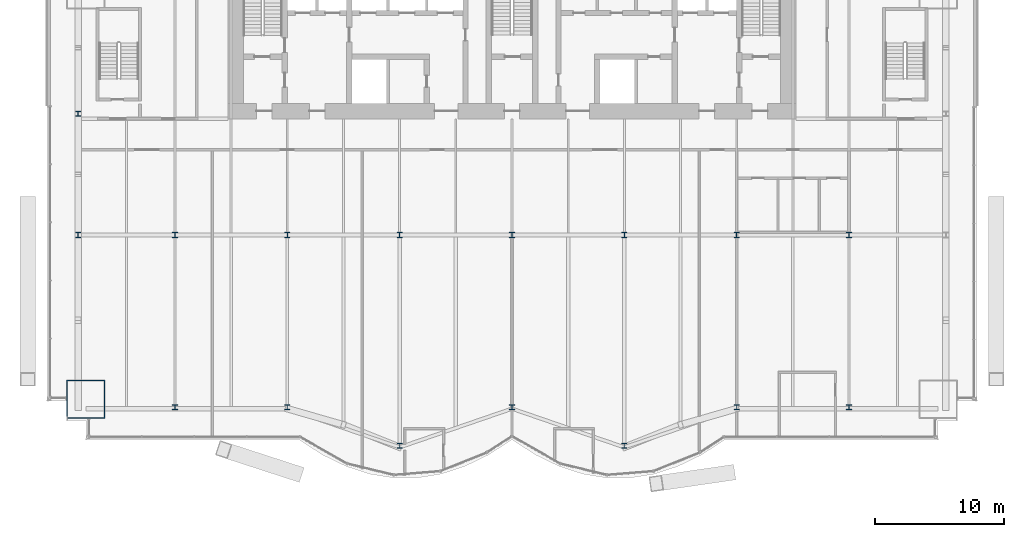
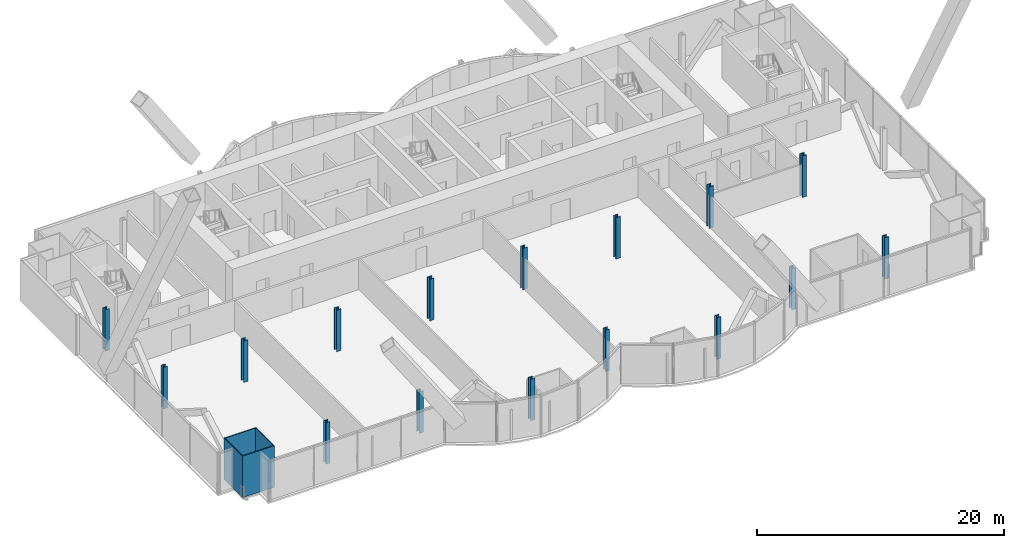
# One storey, part 1 of 23: 17 columns.
"""IFC4 building model written with IfcOpenShell, lengths in metres."""

from ifc_helpers import new_model, si_unit, direction, frame, origin, origin_2d, place, context, subcontext, project, spatial, hollow_rectangle, i_section, extrude, material, material_profile, profile_set, type_object, element, save


model = new_model("IFC4")

# Units and contexts
model_context = context("Model", 3, precision=1e-05, world=origin(), true_north=direction((0.0, 1.0)))
body_context = subcontext(model_context, "Body", "Model", "MODEL_VIEW")
ifc_project = project(units=[si_unit("LENGTHUNIT", "METRE"), si_unit("AREAUNIT", "SQUARE_METRE"), si_unit("VOLUMEUNIT", "CUBIC_METRE"), si_unit("PLANEANGLEUNIT", "RADIAN"), si_unit("MASSUNIT", "GRAM", prefix="KILO")], contexts=[model_context])

# Site, building, storey
site_placement = place(None, origin())
site = spatial("IfcSite", under=ifc_project, at=site_placement, CompositionType="ELEMENT")
building_placement = place(site_placement, origin())
building = spatial("IfcBuilding", under=site, at=building_placement, Name="Bicima Exchange Tower", CompositionType="ELEMENT")
storey_placement = place(building_placement, frame((0.0, 0.0, 110.39990234375)))
storey = spatial("IfcBuildingStorey", under=building, at=storey_placement, Name="L23", CompositionType="ELEMENT", Elevation=110.39990234375)

# Columns
ifc_material_1 = material(Name="Steel ASTM A992 Gr 50", Category="steel")
ifc_material_profile_1 = material_profile(ifc_material_1, i_section(OverallWidth=0.406494140625, OverallDepth=0.41650390625, WebThickness=0.030029296875, FlangeThickness=0.048095703125, at=origin_2d()))
ifc_profile_set_1 = profile_set([ifc_material_profile_1], Name="Steel ASTM A992 Gr 50")
column_type_1 = type_object("IfcColumnType", Name="Interior column W14x257", PredefinedType="COLUMN", material=ifc_profile_set_1)
for number, where, z_axis, x_axis, name in (
    (1, (-26.10009765625, -22.0, 0.0), (0.0, 0.0, 1.0), (1.0, 0.0, 0.0), "Interior column interior-26.1i"),
    (2, (-17.39990234375, -22.0, 0.0), (0.0, 0.0, 1.0), (1.0, 0.0, 0.0), "Interior column interior-17.4i"),
    (3, (-8.699951171875, -22.0, 0.0), (0.0, 0.0, 1.0), (1.0, 0.0, 0.0), "Interior column interior-8.7i"),
    (4, (0.0, -22.0, 0.0), (0.0, 0.0, 1.0), (1.0, 0.0, 0.0), "Interior column interior+0.0i"),
    (5, (8.699951171875, -22.0, 0.0), (0.0, 0.0, 1.0), (1.0, 0.0, 0.0), "Interior column interior+8.7i"),
    (6, (17.39990234375, -22.0, 0.0), (0.0, 0.0, 1.0), (1.0, 0.0, 0.0), "Interior column interior+17.4i"),
    (7, (26.10009765625, -22.0, 0.0), (0.0, 0.0, 1.0), (1.0, 0.0, 0.0), "Interior column interior+26.1i"),
):
    element("IfcColumn", number, at=place(storey_placement, frame(where, z_axis=z_axis, x_axis=x_axis)), inside=storey, type_object=column_type_1, Name=name, PredefinedType="COLUMN", context=body_context, shape_type="SweptSolid", body=[
        extrude(i_section(OverallWidth=0.406494140625, OverallDepth=0.41650390625, WebThickness=0.030029296875, FlangeThickness=0.048095703125, at=origin_2d()), origin(), (0.0, 0.0, 1.0), 4.10009765625),
    ])
ifc_material_2 = material(Name="Steel ASTM A572 Gr 50", Category="steel")
ifc_material_profile_2 = material_profile(ifc_material_2, hollow_rectangle(XDim=3.0, YDim=3.0, WallThickness=0.090087890625, at=origin_2d()))
ifc_profile_set_2 = profile_set([ifc_material_profile_2], Name="Steel ASTM A572 Gr 50")
column_type_2 = type_object("IfcColumnType", Name="Mega column BOX 3000x3000x90", PredefinedType="COLUMN", material=ifc_profile_set_2)
column_placement = place(storey_placement, frame((-33.0, -34.72998046875, 0.0), z_axis=(0.0, 0.0, 1.0), x_axis=(1.0, 0.0, 0.0)))
element("IfcColumn", 8, at=column_placement, inside=storey, type_object=column_type_2, Name="Mega column mega-33.0f", PredefinedType="COLUMN", context=body_context, shape_type="SweptSolid", body=[
    extrude(hollow_rectangle(XDim=3.0, YDim=3.0, WallThickness=0.090087890625, at=origin_2d()), origin(), (0.0, 0.0, 1.0), 4.10009765625),
])
ifc_material_profile_3 = material_profile(ifc_material_1, i_section(OverallWidth=0.398681640625, OverallDepth=0.393798828125, WebThickness=0.022705078125, FlangeThickness=0.03662109375, at=origin_2d()))
ifc_profile_set_3 = profile_set([ifc_material_profile_3], Name="Steel ASTM A992 Gr 50")
column_type_3 = type_object("IfcColumnType", Name="Perimeter column W14x193", PredefinedType="COLUMN", material=ifc_profile_set_3)
for number, where, z_axis, x_axis, name in (
    (9, (-26.10009765625, -35.330078125, 0.0), (0.0, 0.0, 1.0), (1.0, 0.0, 0.0), "Perimeter column grav-26.1f"),
    (10, (-17.39990234375, -35.330078125, 0.0), (0.0, 0.0, 1.0), (1.0, 0.0, 0.0), "Perimeter column grav-17.4f"),
    (11, (-8.699951171875, -38.321044921875, 0.0), (0.0, 0.0, 1.0), (1.0, 0.0, 0.0), "Perimeter column grav-8.7f"),
    (12, (0.0, -35.330078125, 0.0), (0.0, 0.0, 1.0), (1.0, 0.0, 0.0), "Perimeter column grav-0.0f"),
    (13, (8.699951171875, -38.321044921875, 0.0), (0.0, 0.0, 1.0), (1.0, 0.0, 0.0), "Perimeter column grav+8.7f"),
    (14, (17.39990234375, -35.330078125, 0.0), (0.0, 0.0, 1.0), (1.0, 0.0, 0.0), "Perimeter column grav+17.4f"),
    (15, (26.10009765625, -35.330078125, 0.0), (0.0, 0.0, 1.0), (1.0, 0.0, 0.0), "Perimeter column grav+26.1f"),
    (16, (-33.60009765625, -12.60009765625, 0.0), (0.0, 0.0, 1.0), (1.0, 0.0, 0.0), "End column end-33.6e"),
    (17, (-33.60009765625, -22.0, 0.0), (0.0, 0.0, 1.0), (1.0, 0.0, 0.0), "End column end-33.6e"),
):
    element("IfcColumn", number, at=place(storey_placement, frame(where, z_axis=z_axis, x_axis=x_axis)), inside=storey, type_object=column_type_3, Name=name, PredefinedType="COLUMN", context=body_context, shape_type="SweptSolid", body=[
        extrude(i_section(OverallWidth=0.398681640625, OverallDepth=0.393798828125, WebThickness=0.022705078125, FlangeThickness=0.03662109375, at=origin_2d()), origin(), (0.0, 0.0, 1.0), 4.10009765625),
    ])

save(model, "model.ifc")
